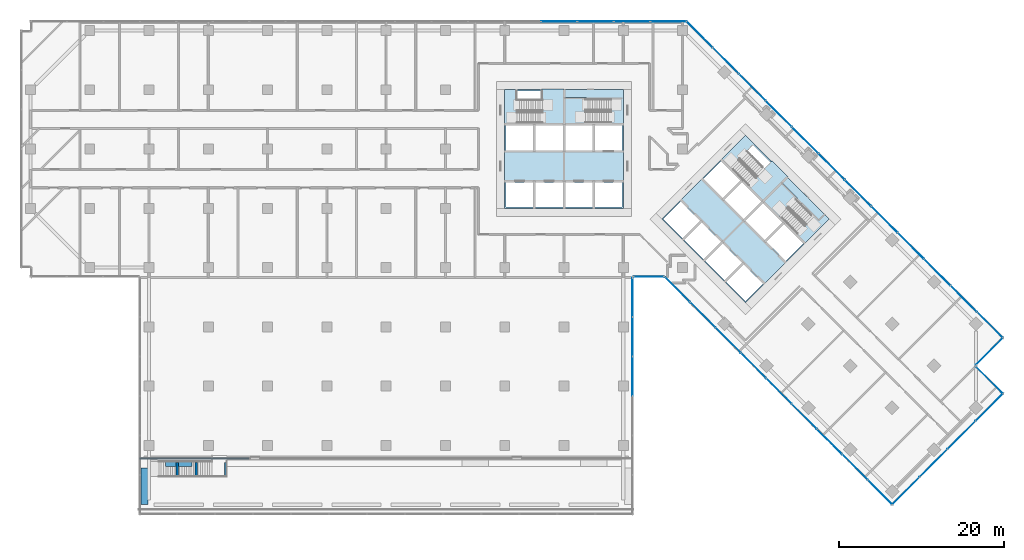
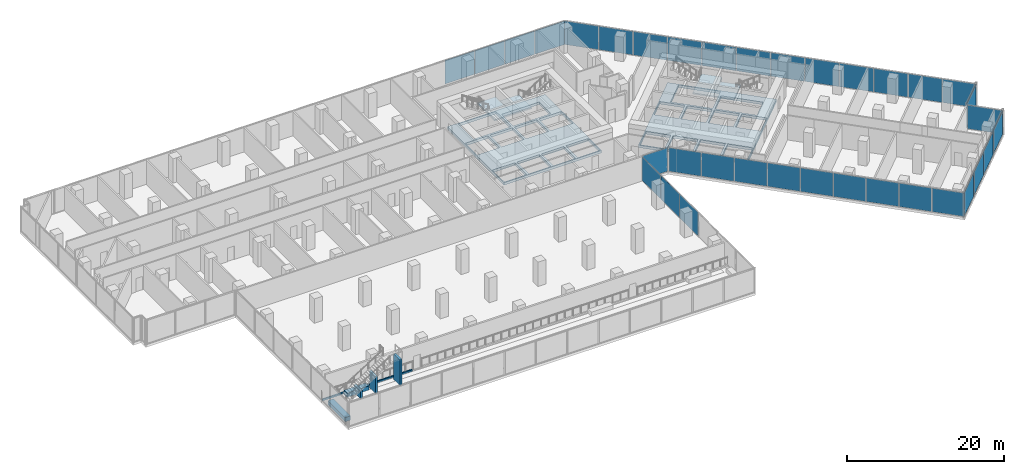
# One storey, part 18 of 27: 35 plates, 6 slabs, 6 walls, 20 openings, 12 elements without a shape of their own.
"""IFC4 building model written with IfcOpenShell, lengths in metres."""

from ifc_helpers import new_model, si_unit, direction, frame, frame_2d, origin, origin_2d, place, context, subcontext, project, spatial, polyline, rectangle, outline, extrude, material, layer, layer_set, type_object, element, aggregate, save


model = new_model("IFC4")

# Units and contexts
model_context = context("Model", 3, precision=1e-05, world=origin(), true_north=direction((0.0, 1.0)))
body_context = subcontext(model_context, "Body", "Model", "MODEL_VIEW")
ifc_project = project(units=[si_unit("LENGTHUNIT", "METRE"), si_unit("AREAUNIT", "SQUARE_METRE"), si_unit("VOLUMEUNIT", "CUBIC_METRE"), si_unit("PLANEANGLEUNIT", "RADIAN"), si_unit("MASSUNIT", "GRAM", prefix="KILO")], contexts=[model_context])

# Site, building, storey
site_placement = place(None, origin())
site = spatial("IfcSite", under=ifc_project, at=site_placement, CompositionType="ELEMENT")
building_placement = place(site_placement, origin())
building = spatial("IfcBuilding", under=site, at=building_placement, Name="Windrow Commons", CompositionType="ELEMENT")
storey_placement = place(building_placement, frame((0.0, 0.0, 6.0)))
storey = spatial("IfcBuildingStorey", under=building, at=storey_placement, Name="L01", CompositionType="ELEMENT", Elevation=6.0)

# Slab, openings
ifc_material_1 = material(Name="Concrete C60/75", Category="concrete")
ifc_layer_1 = layer(ifc_material_1, 0.4)
ifc_layer_set_1 = layer_set([ifc_layer_1], Name="CORE FLOOR SLAB 400 C60/75")
slab_type_1 = type_object("IfcSlabType", Name="CORE FLOOR SLAB 400 C60/75", PredefinedType="FLOOR", material=ifc_layer_set_1)
placement_1 = place(storey_placement, frame((0.0, 0.0, -0.4)))
slab_1 = element("IfcSlab", 1, at=placement_1, inside=storey, type_object=slab_type_1, Name="S-L01-core-A", PredefinedType="FLOOR", context=body_context, shape_type="SweptSolid", body=[
    extrude(outline(polyline([(57.6, 50.4), (72.0, 50.4), (72.0, 64.8), (57.6, 64.8), (57.6, 50.4)]), holes=[polyline([(57.75, 50.55), (61.05, 50.55), (61.05, 53.55), (57.75, 53.55), (57.75, 50.55)]), polyline([(61.35, 50.55), (64.65, 50.55), (64.65, 53.55), (61.35, 53.55), (61.35, 50.55)]), polyline([(64.95, 50.55), (68.25, 50.55), (68.25, 53.55), (64.95, 53.55), (64.95, 50.55)]), polyline([(68.55, 50.55), (71.85, 50.55), (71.85, 53.55), (68.55, 53.55), (68.55, 50.55)]), polyline([(57.75, 57.45), (61.05, 57.45), (61.05, 60.45), (57.75, 60.45), (57.75, 57.45)]), polyline([(61.35, 57.45), (64.65, 57.45), (64.65, 60.45), (61.35, 60.45), (61.35, 57.45)]), polyline([(64.95, 57.45), (68.25, 57.45), (68.25, 60.45), (64.95, 60.45), (64.95, 57.45)]), polyline([(68.55, 57.45), (71.85, 57.45), (71.85, 60.45), (68.55, 60.45), (68.55, 57.45)]), polyline([(59.1, 60.75), (64.65, 60.75), (64.65, 64.65), (59.1, 64.65), (59.1, 60.75)]), polyline([(64.95, 60.75), (70.5, 60.75), (70.5, 63.705), (64.95, 63.705), (64.95, 60.75)])]), origin(), (0.0, 0.0, 1.0), 0.4),
])
opening_1_placement = place(placement_1, origin())
element("IfcOpeningElement", 2, at=opening_1_placement, cuts=slab_1, Name="Slab opening S-L01-core-A 1", PredefinedType="OPENING", context=body_context, shape_type="SweptSolid", body=[
    extrude(outline(polyline([(57.755, 50.555), (57.755, 53.545), (61.045, 53.545), (61.045, 50.555), (57.755, 50.555)])), origin(), (0.0, 0.0, 1.0), 0.4),
])
opening_2_placement = place(placement_1, origin())
element("IfcOpeningElement", 3, at=opening_2_placement, cuts=slab_1, Name="Slab opening S-L01-core-A 2", PredefinedType="OPENING", context=body_context, shape_type="SweptSolid", body=[
    extrude(outline(polyline([(61.355, 50.555), (61.355, 53.545), (64.645, 53.545), (64.645, 50.555), (61.355, 50.555)])), origin(), (0.0, 0.0, 1.0), 0.4),
])
opening_3_placement = place(placement_1, origin())
element("IfcOpeningElement", 4, at=opening_3_placement, cuts=slab_1, Name="Slab opening S-L01-core-A 3", PredefinedType="OPENING", context=body_context, shape_type="SweptSolid", body=[
    extrude(outline(polyline([(64.955, 50.555), (64.955, 53.545), (68.245, 53.545), (68.245, 50.555), (64.955, 50.555)])), origin(), (0.0, 0.0, 1.0), 0.4),
])
opening_4_placement = place(placement_1, origin())
element("IfcOpeningElement", 5, at=opening_4_placement, cuts=slab_1, Name="Slab opening S-L01-core-A 4", PredefinedType="OPENING", context=body_context, shape_type="SweptSolid", body=[
    extrude(outline(polyline([(68.555, 50.555), (68.555, 53.545), (71.845, 53.545), (71.845, 50.555), (68.555, 50.555)])), origin(), (0.0, 0.0, 1.0), 0.4),
])
opening_5_placement = place(placement_1, origin())
element("IfcOpeningElement", 6, at=opening_5_placement, cuts=slab_1, Name="Slab opening S-L01-core-A 5", PredefinedType="OPENING", context=body_context, shape_type="SweptSolid", body=[
    extrude(outline(polyline([(57.755, 57.455), (57.755, 60.445), (61.045, 60.445), (61.045, 57.455), (57.755, 57.455)])), origin(), (0.0, 0.0, 1.0), 0.4),
])
opening_6_placement = place(placement_1, origin())
element("IfcOpeningElement", 7, at=opening_6_placement, cuts=slab_1, Name="Slab opening S-L01-core-A 6", PredefinedType="OPENING", context=body_context, shape_type="SweptSolid", body=[
    extrude(outline(polyline([(61.355, 57.455), (61.355, 60.445), (64.645, 60.445), (64.645, 57.455), (61.355, 57.455)])), origin(), (0.0, 0.0, 1.0), 0.4),
])
opening_7_placement = place(placement_1, origin())
element("IfcOpeningElement", 8, at=opening_7_placement, cuts=slab_1, Name="Slab opening S-L01-core-A 7", PredefinedType="OPENING", context=body_context, shape_type="SweptSolid", body=[
    extrude(outline(polyline([(64.955, 57.455), (64.955, 60.445), (68.245, 60.445), (68.245, 57.455), (64.955, 57.455)])), origin(), (0.0, 0.0, 1.0), 0.4),
])
opening_8_placement = place(placement_1, origin())
element("IfcOpeningElement", 9, at=opening_8_placement, cuts=slab_1, Name="Slab opening S-L01-core-A 8", PredefinedType="OPENING", context=body_context, shape_type="SweptSolid", body=[
    extrude(outline(polyline([(68.555, 57.455), (68.555, 60.445), (71.845, 60.445), (71.845, 57.455), (68.555, 57.455)])), origin(), (0.0, 0.0, 1.0), 0.4),
])
opening_9_placement = place(placement_1, origin())
element("IfcOpeningElement", 10, at=opening_9_placement, cuts=slab_1, Name="Slab opening S-L01-core-A 9", PredefinedType="OPENING", context=body_context, shape_type="SweptSolid", body=[
    extrude(outline(polyline([(59.105, 60.755), (59.105, 64.645), (64.645, 64.645), (64.645, 60.755), (59.105, 60.755)])), origin(), (0.0, 0.0, 1.0), 0.4),
])
opening_10_placement = place(placement_1, origin())
element("IfcOpeningElement", 11, at=opening_10_placement, cuts=slab_1, Name="Slab opening S-L01-core-A 10", PredefinedType="OPENING", context=body_context, shape_type="SweptSolid", body=[
    extrude(outline(polyline([(64.955, 60.755), (64.955, 63.7), (70.495, 63.7), (70.495, 60.755), (64.955, 60.755)])), origin(), (0.0, 0.0, 1.0), 0.4),
])

slab_2 = element("IfcSlab", 12, at=placement_1, inside=storey, type_object=slab_type_1, Name="S-L01-core-B", PredefinedType="FLOOR", context=body_context, shape_type="SweptSolid", body=[
    extrude(outline(polyline([(76.6544, 49.0897), (86.8368, 38.9074), (97.0191, 49.0897), (86.8368, 59.2721), (76.6544, 49.0897)]), holes=[polyline([(76.8665, 49.0897), (79.2, 46.7563), (81.3213, 48.8776), (78.9879, 51.2111), (76.8665, 49.0897)]), polyline([(79.4121, 46.5442), (81.7456, 44.2107), (83.8669, 46.332), (81.5335, 48.6655), (79.4121, 46.5442)]), polyline([(81.9577, 43.9986), (84.2912, 41.6651), (86.4125, 43.7864), (84.079, 46.1199), (81.9577, 43.9986)]), polyline([(84.5033, 41.453), (86.8368, 39.1195), (88.9581, 41.2409), (86.6246, 43.5743), (84.5033, 41.453)]), polyline([(81.7456, 53.9688), (84.079, 51.6353), (86.2004, 53.7566), (83.8669, 56.0901), (81.7456, 53.9688)]), polyline([(84.2912, 51.4232), (86.6246, 49.0897), (88.7459, 51.2111), (86.4125, 53.5445), (84.2912, 51.4232)]), polyline([(86.8368, 48.8776), (89.1702, 46.5442), (91.2915, 48.6655), (88.9581, 50.9989), (86.8368, 48.8776)]), polyline([(89.3823, 46.332), (91.7158, 43.9986), (93.8371, 46.1199), (91.5037, 48.4533), (89.3823, 46.332)]), polyline([(85.0336, 55.3476), (88.9581, 51.4232), (91.7158, 54.1809), (87.7913, 58.1054), (85.0336, 55.3476)]), polyline([(89.1702, 51.2111), (93.0946, 47.2866), (95.1841, 49.3761), (91.2597, 53.3006), (89.1702, 51.2111)])]), origin(), (0.0, 0.0, 1.0), 0.4),
])
opening_11_placement = place(placement_1, origin())
element("IfcOpeningElement", 13, at=opening_11_placement, cuts=slab_2, Name="Slab opening S-L01-core-B 1", PredefinedType="OPENING", context=body_context, shape_type="SweptSolid", body=[
    extrude(outline(polyline([(76.8736, 49.0897), (78.9879, 51.204), (81.3142, 48.8776), (79.2, 46.7634), (76.8736, 49.0897)])), origin(), (0.0, 0.0, 1.0), 0.4),
])
opening_12_placement = place(placement_1, origin())
element("IfcOpeningElement", 14, at=opening_12_placement, cuts=slab_2, Name="Slab opening S-L01-core-B 2", PredefinedType="OPENING", context=body_context, shape_type="SweptSolid", body=[
    extrude(outline(polyline([(79.4192, 46.5442), (81.5335, 48.6584), (83.8598, 46.332), (81.7456, 44.2178), (79.4192, 46.5442)])), origin(), (0.0, 0.0, 1.0), 0.4),
])
opening_13_placement = place(placement_1, origin())
element("IfcOpeningElement", 15, at=opening_13_placement, cuts=slab_2, Name="Slab opening S-L01-core-B 3", PredefinedType="OPENING", context=body_context, shape_type="SweptSolid", body=[
    extrude(outline(polyline([(81.9648, 43.9986), (84.079, 46.1128), (86.4054, 43.7864), (84.2912, 41.6722), (81.9648, 43.9986)])), origin(), (0.0, 0.0, 1.0), 0.4),
])
opening_14_placement = place(placement_1, origin())
element("IfcOpeningElement", 16, at=opening_14_placement, cuts=slab_2, Name="Slab opening S-L01-core-B 4", PredefinedType="OPENING", context=body_context, shape_type="SweptSolid", body=[
    extrude(outline(polyline([(84.5104, 41.453), (86.6246, 43.5672), (88.951, 41.2409), (86.8368, 39.1266), (84.5104, 41.453)])), origin(), (0.0, 0.0, 1.0), 0.4),
])
opening_15_placement = place(placement_1, origin())
element("IfcOpeningElement", 17, at=opening_15_placement, cuts=slab_2, Name="Slab opening S-L01-core-B 5", PredefinedType="OPENING", context=body_context, shape_type="SweptSolid", body=[
    extrude(outline(polyline([(81.7527, 53.9688), (83.8669, 56.083), (86.1933, 53.7566), (84.079, 51.6424), (81.7527, 53.9688)])), origin(), (0.0, 0.0, 1.0), 0.4),
])
opening_16_placement = place(placement_1, origin())
element("IfcOpeningElement", 18, at=opening_16_placement, cuts=slab_2, Name="Slab opening S-L01-core-B 6", PredefinedType="OPENING", context=body_context, shape_type="SweptSolid", body=[
    extrude(outline(polyline([(84.2983, 51.4232), (86.4125, 53.5374), (88.7388, 51.2111), (86.6246, 49.0968), (84.2983, 51.4232)])), origin(), (0.0, 0.0, 1.0), 0.4),
])
opening_17_placement = place(placement_1, origin())
element("IfcOpeningElement", 19, at=opening_17_placement, cuts=slab_2, Name="Slab opening S-L01-core-B 7", PredefinedType="OPENING", context=body_context, shape_type="SweptSolid", body=[
    extrude(outline(polyline([(86.8439, 48.8776), (88.9581, 50.9918), (91.2844, 48.6655), (89.1702, 46.5513), (86.8439, 48.8776)])), origin(), (0.0, 0.0, 1.0), 0.4),
])
opening_18_placement = place(placement_1, origin())
element("IfcOpeningElement", 20, at=opening_18_placement, cuts=slab_2, Name="Slab opening S-L01-core-B 8", PredefinedType="OPENING", context=body_context, shape_type="SweptSolid", body=[
    extrude(outline(polyline([(89.3894, 46.332), (91.5037, 48.4462), (93.83, 46.1199), (91.7158, 44.0057), (89.3894, 46.332)])), origin(), (0.0, 0.0, 1.0), 0.4),
])
opening_19_placement = place(placement_1, origin())
element("IfcOpeningElement", 21, at=opening_19_placement, cuts=slab_2, Name="Slab opening S-L01-core-B 9", PredefinedType="OPENING", context=body_context, shape_type="SweptSolid", body=[
    extrude(outline(polyline([(85.0407, 55.3476), (87.7913, 58.0983), (91.7087, 54.1809), (88.9581, 51.4303), (85.0407, 55.3476)])), origin(), (0.0, 0.0, 1.0), 0.4),
])
opening_20_placement = place(placement_1, origin())
element("IfcOpeningElement", 22, at=opening_20_placement, cuts=slab_2, Name="Slab opening S-L01-core-B 10", PredefinedType="OPENING", context=body_context, shape_type="SweptSolid", body=[
    extrude(outline(polyline([(89.1773, 51.2111), (91.2597, 53.2935), (95.177, 49.3761), (93.0946, 47.2937), (89.1773, 51.2111)])), origin(), (0.0, 0.0, 1.0), 0.4),
])

# Curtain wall, plates
ifc_material_2 = material(Name="Clear laminated glass in Aluminium 6063-T6 anodised frame", Category="aluminium")
curtain_wall_type = type_object("IfcCurtainWallType", Name="Curtain wall CW1 podium study hall", PredefinedType="USERDEFINED", material=ifc_material_2)
placement_2 = place(storey_placement, origin())
curtain_wall_1 = element("IfcCurtainWall", 23, at=placement_2, inside=storey, type_object=curtain_wall_type, Name="Curtain wall CW1 L01 1", ObjectType="STICK", PredefinedType="USERDEFINED")
ifc_material_3 = material(Name="Clear laminated glass", Category="glass")
ifc_layer_2 = layer(ifc_material_3, 0.032)
ifc_layer_set_2 = layer_set([ifc_layer_2], Name="CW1 panel glass 32")
plate_type = type_object("IfcPlateType", Name="CW1 panel glass 32", PredefinedType="CURTAIN_PANEL", material=ifc_layer_set_2)
plate_1_placement = place(storey_placement, frame((106.2928, 16.0785, 0.06), z_axis=(0.0, 0.0, 1.0), x_axis=(0.7071093854, 0.707104177, 0.0)))
plate_1 = element("IfcPlate", 24, at=plate_1_placement, type_object=plate_type, Name="CW1 panel 1.1", PredefinedType="CURTAIN_PANEL", context=body_context, shape_type="SweptSolid", body=[
    extrude(rectangle(XDim=4.71, YDim=0.032, at=origin_2d()), origin(), (0.0, 0.0, 1.0), 3.68),
])
plate_2_placement = place(storey_placement, frame((109.6763, 19.462, 0.06), z_axis=(0.0, 0.0, 1.0), x_axis=(0.7071093854, 0.707104177, 0.0)))
plate_2 = element("IfcPlate", 25, at=plate_2_placement, type_object=plate_type, Name="CW1 panel 2.1", PredefinedType="CURTAIN_PANEL", context=body_context, shape_type="SweptSolid", body=[
    extrude(rectangle(XDim=4.74, YDim=0.032, at=origin_2d()), origin(), (0.0, 0.0, 1.0), 3.68),
])
plate_3_placement = place(storey_placement, frame((113.0704, 22.8561, 0.06), z_axis=(0.0, 0.0, 1.0), x_axis=(0.7071093854, 0.707104177, 0.0)))
plate_3 = element("IfcPlate", 26, at=plate_3_placement, type_object=plate_type, Name="CW1 panel 3.1", PredefinedType="CURTAIN_PANEL", context=body_context, shape_type="SweptSolid", body=[
    extrude(rectangle(XDim=4.74, YDim=0.032, at=origin_2d()), origin(), (0.0, 0.0, 1.0), 3.68),
])
plate_4_placement = place(storey_placement, frame((116.4539, 26.2396, 0.06), z_axis=(0.0, 0.0, 1.0), x_axis=(0.7071093854, 0.707104177, 0.0)))
plate_4 = element("IfcPlate", 27, at=plate_4_placement, type_object=plate_type, Name="CW1 panel 4.1", PredefinedType="CURTAIN_PANEL", context=body_context, shape_type="SweptSolid", body=[
    extrude(rectangle(XDim=4.71, YDim=0.032, at=origin_2d()), origin(), (0.0, 0.0, 1.0), 3.68),
])
aggregate(curtain_wall_1, [plate_1, plate_2, plate_3, plate_4])

# Curtain wall, plate
curtain_wall_2 = element("IfcCurtainWall", 28, at=placement_2, inside=storey, type_object=curtain_wall_type, Name="Curtain wall CW1 L01 2", ObjectType="STICK", PredefinedType="USERDEFINED")
plate_5_placement = place(storey_placement, frame((116.4645, 29.5028, 0.06), z_axis=(0.0, 0.0, 1.0), x_axis=(-0.7071067812, 0.7071067812, 0.0)))
plate_5 = element("IfcPlate", 29, at=plate_5_placement, type_object=plate_type, Name="CW1 panel 1.1", PredefinedType="CURTAIN_PANEL", context=body_context, shape_type="SweptSolid", body=[
    extrude(rectangle(XDim=4.68, YDim=0.032, at=origin_2d()), origin(), (0.0, 0.0, 1.0), 3.68),
])
aggregate(curtain_wall_2, [plate_5])

curtain_wall_3 = element("IfcCurtainWall", 30, at=placement_2, inside=storey, type_object=curtain_wall_type, Name="Curtain wall CW1 L01 3", ObjectType="STICK", PredefinedType="USERDEFINED")
plate_6_placement = place(storey_placement, frame((116.4645, 33.0384, 0.06), z_axis=(0.0, 0.0, 1.0), x_axis=(0.7070963646, 0.7071171977, 0.0)))
plate_6 = element("IfcPlate", 31, at=plate_6_placement, type_object=plate_type, Name="CW1 panel 1.1", PredefinedType="CURTAIN_PANEL", context=body_context, shape_type="SweptSolid", body=[
    extrude(rectangle(XDim=4.6801, YDim=0.032, at=origin_2d()), origin(), (0.0, 0.0, 1.0), 3.68),
])
aggregate(curtain_wall_3, [plate_6])

# Curtain wall, plates
curtain_wall_4 = element("IfcCurtainWall", 32, at=placement_2, inside=storey, type_object=curtain_wall_type, Name="Curtain wall CW1 L01 4", ObjectType="STICK", PredefinedType="USERDEFINED")
plate_7_placement = place(storey_placement, frame((116.5453, 36.2103, 0.06), z_axis=(0.0, 0.0, 1.0), x_axis=(-0.7071067812, 0.7071067812, 0.0)))
plate_7 = element("IfcPlate", 33, at=plate_7_placement, type_object=plate_type, Name="CW1 panel 1.1", PredefinedType="CURTAIN_PANEL", context=body_context, shape_type="SweptSolid", body=[
    extrude(rectangle(XDim=4.4514, YDim=0.032, at=origin_2d()), origin(), (0.0, 0.0, 1.0), 3.68),
])
plate_8_placement = place(storey_placement, frame((113.3447, 39.411, 0.06), z_axis=(0.0, 0.0, 1.0), x_axis=(-0.7071067812, 0.7071067812, 0.0)))
plate_8 = element("IfcPlate", 34, at=plate_8_placement, type_object=plate_type, Name="CW1 panel 2.1", PredefinedType="CURTAIN_PANEL", context=body_context, shape_type="SweptSolid", body=[
    extrude(rectangle(XDim=4.4814, YDim=0.032, at=origin_2d()), origin(), (0.0, 0.0, 1.0), 3.68),
])
plate_9_placement = place(storey_placement, frame((110.1334, 42.6223, 0.06), z_axis=(0.0, 0.0, 1.0), x_axis=(-0.7071067812, 0.7071067812, 0.0)))
plate_9 = element("IfcPlate", 35, at=plate_9_placement, type_object=plate_type, Name="CW1 panel 3.1", PredefinedType="CURTAIN_PANEL", context=body_context, shape_type="SweptSolid", body=[
    extrude(rectangle(XDim=4.4814, YDim=0.032, at=origin_2d()), origin(), (0.0, 0.0, 1.0), 3.68),
])
plate_10_placement = place(storey_placement, frame((106.9222, 45.8335, 0.06), z_axis=(0.0, 0.0, 1.0), x_axis=(-0.7071067812, 0.7071067812, 0.0)))
plate_10 = element("IfcPlate", 36, at=plate_10_placement, type_object=plate_type, Name="CW1 panel 4.1", PredefinedType="CURTAIN_PANEL", context=body_context, shape_type="SweptSolid", body=[
    extrude(rectangle(XDim=4.4814, YDim=0.032, at=origin_2d()), origin(), (0.0, 0.0, 1.0), 3.68),
])
plate_11_placement = place(storey_placement, frame((103.7109, 49.0448, 0.06), z_axis=(0.0, 0.0, 1.0), x_axis=(-0.7071067812, 0.7071067812, 0.0)))
plate_11 = element("IfcPlate", 37, at=plate_11_placement, type_object=plate_type, Name="CW1 panel 5.1", PredefinedType="CURTAIN_PANEL", context=body_context, shape_type="SweptSolid", body=[
    extrude(rectangle(XDim=4.4814, YDim=0.032, at=origin_2d()), origin(), (0.0, 0.0, 1.0), 3.68),
])
plate_12_placement = place(storey_placement, frame((100.4996, 52.2561, 0.06), z_axis=(0.0, 0.0, 1.0), x_axis=(-0.7071067812, 0.7071067812, 0.0)))
plate_12 = element("IfcPlate", 38, at=plate_12_placement, type_object=plate_type, Name="CW1 panel 6.1", PredefinedType="CURTAIN_PANEL", context=body_context, shape_type="SweptSolid", body=[
    extrude(rectangle(XDim=4.4814, YDim=0.032, at=origin_2d()), origin(), (0.0, 0.0, 1.0), 3.68),
])
plate_13_placement = place(storey_placement, frame((97.2884, 55.4673, 0.06), z_axis=(0.0, 0.0, 1.0), x_axis=(-0.7071067812, 0.7071067812, 0.0)))
plate_13 = element("IfcPlate", 39, at=plate_13_placement, type_object=plate_type, Name="CW1 panel 7.1", PredefinedType="CURTAIN_PANEL", context=body_context, shape_type="SweptSolid", body=[
    extrude(rectangle(XDim=4.4814, YDim=0.032, at=origin_2d()), origin(), (0.0, 0.0, 1.0), 3.68),
])
plate_14_placement = place(storey_placement, frame((94.0771, 58.6786, 0.06), z_axis=(0.0, 0.0, 1.0), x_axis=(-0.7071067812, 0.7071067812, 0.0)))
plate_14 = element("IfcPlate", 40, at=plate_14_placement, type_object=plate_type, Name="CW1 panel 8.1", PredefinedType="CURTAIN_PANEL", context=body_context, shape_type="SweptSolid", body=[
    extrude(rectangle(XDim=4.4814, YDim=0.032, at=origin_2d()), origin(), (0.0, 0.0, 1.0), 3.68),
])
plate_15_placement = place(storey_placement, frame((90.8658, 61.8899, 0.06), z_axis=(0.0, 0.0, 1.0), x_axis=(-0.7071067812, 0.7071067812, 0.0)))
plate_15 = element("IfcPlate", 41, at=plate_15_placement, type_object=plate_type, Name="CW1 panel 9.1", PredefinedType="CURTAIN_PANEL", context=body_context, shape_type="SweptSolid", body=[
    extrude(rectangle(XDim=4.4814, YDim=0.032, at=origin_2d()), origin(), (0.0, 0.0, 1.0), 3.68),
])
plate_16_placement = place(storey_placement, frame((87.6546, 65.1011, 0.06), z_axis=(0.0, 0.0, 1.0), x_axis=(-0.7071067812, 0.7071067812, 0.0)))
plate_16 = element("IfcPlate", 42, at=plate_16_placement, type_object=plate_type, Name="CW1 panel 10.1", PredefinedType="CURTAIN_PANEL", context=body_context, shape_type="SweptSolid", body=[
    extrude(rectangle(XDim=4.4814, YDim=0.032, at=origin_2d()), origin(), (0.0, 0.0, 1.0), 3.68),
])
plate_17_placement = place(storey_placement, frame((84.4433, 68.3124, 0.06), z_axis=(0.0, 0.0, 1.0), x_axis=(-0.7071067812, 0.7071067812, 0.0)))
plate_17 = element("IfcPlate", 43, at=plate_17_placement, type_object=plate_type, Name="CW1 panel 11.1", PredefinedType="CURTAIN_PANEL", context=body_context, shape_type="SweptSolid", body=[
    extrude(rectangle(XDim=4.4814, YDim=0.032, at=origin_2d()), origin(), (0.0, 0.0, 1.0), 3.68),
])
plate_18_placement = place(storey_placement, frame((81.2426, 71.513, 0.06), z_axis=(0.0, 0.0, 1.0), x_axis=(-0.7071067812, 0.7071067812, 0.0)))
plate_18 = element("IfcPlate", 44, at=plate_18_placement, type_object=plate_type, Name="CW1 panel 12.1", PredefinedType="CURTAIN_PANEL", context=body_context, shape_type="SweptSolid", body=[
    extrude(rectangle(XDim=4.4514, YDim=0.032, at=origin_2d()), origin(), (0.0, 0.0, 1.0), 3.68),
])
aggregate(curtain_wall_4, [plate_7, plate_8, plate_9, plate_10, plate_11, plate_12, plate_13, plate_14, plate_15, plate_16, plate_17, plate_18])

curtain_wall_5 = element("IfcCurtainWall", 45, at=placement_2, inside=storey, type_object=curtain_wall_type, Name="Curtain wall CW1 L01 5", ObjectType="STICK", PredefinedType="USERDEFINED")
plate_19_placement = place(storey_placement, frame((77.4683, 73.1, 0.06), z_axis=(0.0, 0.0, 1.0), x_axis=(-1.0, 0.0, 0.0)))
plate_19 = element("IfcPlate", 46, at=plate_19_placement, type_object=plate_type, Name="CW1 panel 1.1", PredefinedType="CURTAIN_PANEL", context=body_context, shape_type="SweptSolid", body=[
    extrude(rectangle(XDim=4.3376, YDim=0.032, at=origin_2d()), origin(), (0.0, 0.0, 1.0), 3.68),
])
plate_20_placement = place(storey_placement, frame((73.0557, 73.1, 0.06), z_axis=(0.0, 0.0, 1.0), x_axis=(-1.0, 0.0, 0.0)))
plate_20 = element("IfcPlate", 47, at=plate_20_placement, type_object=plate_type, Name="CW1 panel 2.1", PredefinedType="CURTAIN_PANEL", context=body_context, shape_type="SweptSolid", body=[
    extrude(rectangle(XDim=4.3676, YDim=0.032, at=origin_2d()), origin(), (0.0, 0.0, 1.0), 3.68),
])
plate_21_placement = place(storey_placement, frame((68.6281, 73.1, 0.06), z_axis=(0.0, 0.0, 1.0), x_axis=(-1.0, 0.0, 0.0)))
plate_21 = element("IfcPlate", 48, at=plate_21_placement, type_object=plate_type, Name="CW1 panel 3.1", PredefinedType="CURTAIN_PANEL", context=body_context, shape_type="SweptSolid", body=[
    extrude(rectangle(XDim=4.3676, YDim=0.032, at=origin_2d()), origin(), (0.0, 0.0, 1.0), 3.68),
])
plate_22_placement = place(storey_placement, frame((64.2004, 73.1, 0.06), z_axis=(0.0, 0.0, 1.0), x_axis=(-1.0, 0.0, 0.0)))
plate_22 = element("IfcPlate", 49, at=plate_22_placement, type_object=plate_type, Name="CW1 panel 4.1", PredefinedType="CURTAIN_PANEL", context=body_context, shape_type="SweptSolid", body=[
    extrude(rectangle(XDim=4.3676, YDim=0.032, at=origin_2d()), origin(), (0.0, 0.0, 1.0), 3.68),
])
aggregate(curtain_wall_5, [plate_19, plate_20, plate_21, plate_22])

curtain_wall_6 = element("IfcCurtainWall", 50, at=placement_2, inside=storey, type_object=curtain_wall_type, Name="Curtain wall CW1 L01 14", ObjectType="STICK", PredefinedType="USERDEFINED")
plate_23_placement = place(storey_placement, frame((73.1, 30.0, 0.06), z_axis=(0.0, 0.0, 1.0), x_axis=(0.0, 1.0, 0.0)))
plate_23 = element("IfcPlate", 51, at=plate_23_placement, type_object=plate_type, Name="CW1 panel 4.1", PredefinedType="CURTAIN_PANEL", context=body_context, shape_type="SweptSolid", body=[
    extrude(rectangle(XDim=4.74, YDim=0.032, at=origin_2d()), origin(), (0.0, 0.0, 1.0), 3.68),
])
plate_24_placement = place(storey_placement, frame((73.1, 34.8, 0.06), z_axis=(0.0, 0.0, 1.0), x_axis=(0.0, 1.0, 0.0)))
plate_24 = element("IfcPlate", 52, at=plate_24_placement, type_object=plate_type, Name="CW1 panel 5.1", PredefinedType="CURTAIN_PANEL", context=body_context, shape_type="SweptSolid", body=[
    extrude(rectangle(XDim=4.74, YDim=0.032, at=origin_2d()), origin(), (0.0, 0.0, 1.0), 3.68),
])
plate_25_placement = place(storey_placement, frame((73.1, 39.585, 0.06), z_axis=(0.0, 0.0, 1.0), x_axis=(0.0, 1.0, 0.0)))
plate_25 = element("IfcPlate", 53, at=plate_25_placement, type_object=plate_type, Name="CW1 panel 6.1", PredefinedType="CURTAIN_PANEL", context=body_context, shape_type="SweptSolid", body=[
    extrude(rectangle(XDim=4.71, YDim=0.032, at=origin_2d()), origin(), (0.0, 0.0, 1.0), 3.68),
])
aggregate(curtain_wall_6, [plate_23, plate_24, plate_25])

# Curtain wall, plate
curtain_wall_7 = element("IfcCurtainWall", 54, at=placement_2, inside=storey, type_object=curtain_wall_type, Name="Curtain wall CW1 L01 15", ObjectType="STICK", PredefinedType="USERDEFINED")
plate_26_placement = place(storey_placement, frame((75.078, 42.1, 0.06), z_axis=(0.0, 0.0, 1.0), x_axis=(1.0, 0.0, 0.0)))
plate_26 = element("IfcPlate", 55, at=plate_26_placement, type_object=plate_type, Name="CW1 panel 1.1", PredefinedType="CURTAIN_PANEL", context=body_context, shape_type="SweptSolid", body=[
    extrude(rectangle(XDim=3.6359, YDim=0.032, at=origin_2d()), origin(), (0.0, 0.0, 1.0), 3.68),
])
aggregate(curtain_wall_7, [plate_26])

# Curtain wall, plates
curtain_wall_8 = element("IfcCurtainWall", 56, at=placement_2, inside=storey, type_object=curtain_wall_type, Name="Curtain wall CW1 L01 16", ObjectType="STICK", PredefinedType="USERDEFINED")
plate_27_placement = place(storey_placement, frame((78.5761, 40.5212, 0.06), z_axis=(0.0, 0.0, 1.0), x_axis=(0.7071067812, -0.7071067812, 0.0)))
plate_27 = element("IfcPlate", 57, at=plate_27_placement, type_object=plate_type, Name="CW1 panel 1.1", PredefinedType="CURTAIN_PANEL", context=body_context, shape_type="SweptSolid", body=[
    extrude(rectangle(XDim=4.2626, YDim=0.032, at=origin_2d()), origin(), (0.0, 0.0, 1.0), 3.68),
])
plate_28_placement = place(storey_placement, frame((81.6433, 37.4541, 0.06), z_axis=(0.0, 0.0, 1.0), x_axis=(0.7071067812, -0.7071067812, 0.0)))
plate_28 = element("IfcPlate", 58, at=plate_28_placement, type_object=plate_type, Name="CW1 panel 2.1", PredefinedType="CURTAIN_PANEL", context=body_context, shape_type="SweptSolid", body=[
    extrude(rectangle(XDim=4.2926, YDim=0.032, at=origin_2d()), origin(), (0.0, 0.0, 1.0), 3.68),
])
plate_29_placement = place(storey_placement, frame((84.721, 34.3763, 0.06), z_axis=(0.0, 0.0, 1.0), x_axis=(0.7071067812, -0.7071067812, 0.0)))
plate_29 = element("IfcPlate", 59, at=plate_29_placement, type_object=plate_type, Name="CW1 panel 3.1", PredefinedType="CURTAIN_PANEL", context=body_context, shape_type="SweptSolid", body=[
    extrude(rectangle(XDim=4.2926, YDim=0.032, at=origin_2d()), origin(), (0.0, 0.0, 1.0), 3.68),
])
plate_30_placement = place(storey_placement, frame((87.7988, 31.2985, 0.06), z_axis=(0.0, 0.0, 1.0), x_axis=(0.7071067812, -0.7071067812, 0.0)))
plate_30 = element("IfcPlate", 60, at=plate_30_placement, type_object=plate_type, Name="CW1 panel 4.1", PredefinedType="CURTAIN_PANEL", context=body_context, shape_type="SweptSolid", body=[
    extrude(rectangle(XDim=4.2926, YDim=0.032, at=origin_2d()), origin(), (0.0, 0.0, 1.0), 3.68),
])
plate_31_placement = place(storey_placement, frame((90.8766, 28.2208, 0.06), z_axis=(0.0, 0.0, 1.0), x_axis=(0.7071067812, -0.7071067812, 0.0)))
plate_31 = element("IfcPlate", 61, at=plate_31_placement, type_object=plate_type, Name="CW1 panel 5.1", PredefinedType="CURTAIN_PANEL", context=body_context, shape_type="SweptSolid", body=[
    extrude(rectangle(XDim=4.2926, YDim=0.032, at=origin_2d()), origin(), (0.0, 0.0, 1.0), 3.68),
])
plate_32_placement = place(storey_placement, frame((93.9543, 25.143, 0.06), z_axis=(0.0, 0.0, 1.0), x_axis=(0.7071067812, -0.7071067812, 0.0)))
plate_32 = element("IfcPlate", 62, at=plate_32_placement, type_object=plate_type, Name="CW1 panel 6.1", PredefinedType="CURTAIN_PANEL", context=body_context, shape_type="SweptSolid", body=[
    extrude(rectangle(XDim=4.2926, YDim=0.032, at=origin_2d()), origin(), (0.0, 0.0, 1.0), 3.68),
])
plate_33_placement = place(storey_placement, frame((97.0321, 22.0652, 0.06), z_axis=(0.0, 0.0, 1.0), x_axis=(0.7071067812, -0.7071067812, 0.0)))
plate_33 = element("IfcPlate", 63, at=plate_33_placement, type_object=plate_type, Name="CW1 panel 7.1", PredefinedType="CURTAIN_PANEL", context=body_context, shape_type="SweptSolid", body=[
    extrude(rectangle(XDim=4.2926, YDim=0.032, at=origin_2d()), origin(), (0.0, 0.0, 1.0), 3.68),
])
plate_34_placement = place(storey_placement, frame((100.1099, 18.9875, 0.06), z_axis=(0.0, 0.0, 1.0), x_axis=(0.7071067812, -0.7071067812, 0.0)))
plate_34 = element("IfcPlate", 64, at=plate_34_placement, type_object=plate_type, Name="CW1 panel 8.1", PredefinedType="CURTAIN_PANEL", context=body_context, shape_type="SweptSolid", body=[
    extrude(rectangle(XDim=4.2926, YDim=0.032, at=origin_2d()), origin(), (0.0, 0.0, 1.0), 3.68),
])
plate_35_placement = place(storey_placement, frame((103.177, 15.9203, 0.06), z_axis=(0.0, 0.0, 1.0), x_axis=(0.7071067812, -0.7071067812, 0.0)))
plate_35 = element("IfcPlate", 65, at=plate_35_placement, type_object=plate_type, Name="CW1 panel 9.1", PredefinedType="CURTAIN_PANEL", context=body_context, shape_type="SweptSolid", body=[
    extrude(rectangle(XDim=4.2626, YDim=0.032, at=origin_2d()), origin(), (0.0, 0.0, 1.0), 3.68),
])
aggregate(curtain_wall_8, [plate_27, plate_28, plate_29, plate_30, plate_31, plate_32, plate_33, plate_34, plate_35])

# Stair, slab
ifc_material_4 = material(Name="Concrete C40/50", Category="concrete")
stair_type = type_object("IfcStairType", Name="Core stair", PredefinedType="HALF_TURN_STAIR", material=ifc_material_4)
stair_1 = element("IfcStair", 66, at=placement_2, inside=storey, type_object=stair_type, Name="L01 Exit stair A1 core A", PredefinedType="HALF_TURN_STAIR")
ifc_material_5 = material(Name="Concrete C40/50", Category="concrete")
ifc_layer_3 = layer(ifc_material_5, 0.2)
ifc_layer_set_3 = layer_set([ifc_layer_3], Name="Core stair landing")
slab_type_2 = type_object("IfcSlabType", Name="Core stair landing", PredefinedType="LANDING", material=ifc_layer_set_3)
placement_3 = place(storey_placement, frame((0.0, 0.0, 1.9)))
slab_3 = element("IfcSlab", 67, at=placement_3, type_object=slab_type_2, Name="ST-A1 landing 1", PredefinedType="LANDING", context=body_context, shape_type="SweptSolid", body=[
    extrude(outline(polyline([(62.06, 60.5), (64.8, 60.5), (64.8, 64.9), (62.06, 64.9), (62.06, 60.5)])), origin(), (0.0, 0.0, 1.0), 0.2),
])
aggregate(stair_1, [slab_3])

stair_2 = element("IfcStair", 68, at=placement_2, inside=storey, type_object=stair_type, Name="L01 Exit stair A2 core A", PredefinedType="HALF_TURN_STAIR")
slab_4 = element("IfcSlab", 69, at=placement_3, type_object=slab_type_2, Name="ST-A2 landing 1", PredefinedType="LANDING", context=body_context, shape_type="SweptSolid", body=[
    extrude(outline(polyline([(64.8, 60.5), (67.54, 60.5), (67.54, 63.855), (64.8, 63.855), (64.8, 60.5)])), origin(), (0.0, 0.0, 1.0), 0.2),
])
aggregate(stair_2, [slab_4])

stair_3 = element("IfcStair", 70, at=placement_2, inside=storey, type_object=stair_type, Name="L01 Exit stair B1 core B", PredefinedType="HALF_TURN_STAIR")
slab_5 = element("IfcSlab", 71, at=placement_3, type_object=slab_type_2, Name="ST-B1 landing 1", PredefinedType="LANDING", context=body_context, shape_type="SweptSolid", body=[
    extrude(outline(polyline([(86.9499, 53.0778), (88.8874, 51.1403), (91.9986, 54.2516), (90.0612, 56.1891), (86.9499, 53.0778)])), origin(), (0.0, 0.0, 1.0), 0.2),
])
aggregate(stair_3, [slab_5])

stair_4 = element("IfcStair", 72, at=placement_2, inside=storey, type_object=stair_type, Name="L01 Exit stair B2 core B", PredefinedType="HALF_TURN_STAIR")
slab_6 = element("IfcSlab", 73, at=placement_3, type_object=slab_type_2, Name="ST-B2 landing 1", PredefinedType="LANDING", context=body_context, shape_type="SweptSolid", body=[
    extrude(outline(polyline([(88.8874, 51.1403), (90.8248, 49.2029), (93.1971, 51.5752), (91.2597, 53.5127), (88.8874, 51.1403)])), origin(), (0.0, 0.0, 1.0), 0.2),
])
aggregate(stair_4, [slab_6])

# Walls
ifc_material_6 = material(Name="Concrete C30/37 planter wall", Category="concrete")
ifc_layer_4 = layer(ifc_material_6, 0.8)
ifc_layer_set_4 = layer_set([ifc_layer_4], Name="Planter 800x600")
wall_type_1 = type_object("IfcWallType", Name="Planter 800x600", PredefinedType="SOLIDWALL", material=ifc_layer_set_4)
wall_1_placement = place(storey_placement, frame((13.85, 18.85, 0.0), z_axis=(0.0, 0.0, 1.0), x_axis=(0.0, -1.0, 0.0)))
element("IfcWall", 74, at=wall_1_placement, inside=storey, type_object=wall_type_1, Name="PLANTER TR-L01-1.2", PredefinedType="SOLIDWALL", context=body_context, shape_type="SweptSolid", body=[
    extrude(rectangle(XDim=4.4, YDim=0.8, at=frame_2d((2.2, 0.0))), origin(), (0.0, 0.0, 1.0), 0.65),
])
wall_2_placement = place(storey_placement, frame((19.6068, 19.45, 0.0), z_axis=(0.0, 0.0, 1.0), x_axis=(-1.0, 0.0, 0.0)))
element("IfcWall", 75, at=wall_2_placement, inside=storey, type_object=wall_type_1, Name="PLANTER TR-L01-1.1", PredefinedType="SOLIDWALL", context=body_context, shape_type="SweptSolid", body=[
    extrude(outline(polyline([(0.0, -0.4), (3.2136, -0.4), (3.2136, 0.4), (0.0, 0.4), (0.0, -0.4)])), origin(), (0.0, 0.0, 1.0), 0.65),
])
ifc_material_7 = material(Name="Concrete C40/50", Category="concrete")
ifc_layer_5 = layer(ifc_material_7, 0.3)
ifc_layer_set_5 = layer_set([ifc_layer_5], Name="Stair support wall 300")
wall_type_2 = type_object("IfcWallType", Name="Stair support wall 300", PredefinedType="SOLIDWALL", material=ifc_layer_set_5)
wall_3_placement = place(storey_placement, frame((23.69, 19.55, 0.0), z_axis=(0.0, 0.0, 1.0), x_axis=(0.0, -1.0, 0.0)))
element("IfcWall", 76, at=wall_3_placement, inside=storey, type_object=wall_type_2, Name="Stair support wall L01.1", PredefinedType="SOLIDWALL", context=body_context, shape_type="SweptSolid", body=[
    extrude(rectangle(XDim=1.6, YDim=0.3, at=frame_2d((0.8, 0.0))), origin(), (0.0, 0.0, 1.0), 4.0),
])
wall_4_placement = place(storey_placement, frame((20.108, 19.55, 0.0), z_axis=(0.0, 0.0, 1.0), x_axis=(0.0, -1.0, 0.0)))
element("IfcWall", 77, at=wall_4_placement, inside=storey, type_object=wall_type_2, Name="Stair support wall L01.2", PredefinedType="SOLIDWALL", context=body_context, shape_type="SweptSolid", body=[
    extrude(rectangle(XDim=1.6, YDim=0.3, at=frame_2d((0.8, 0.0))), origin(), (0.0, 0.0, 1.0), 2.6175),
])
wall_5_placement = place(storey_placement, frame((17.854, 19.55, 0.0), z_axis=(0.0, 0.0, 1.0), x_axis=(0.0, -1.0, 0.0)))
element("IfcWall", 78, at=wall_5_placement, inside=storey, type_object=wall_type_2, Name="Stair support wall L01.3", PredefinedType="SOLIDWALL", context=body_context, shape_type="SweptSolid", body=[
    extrude(rectangle(XDim=1.6, YDim=0.3, at=frame_2d((0.8, 0.0))), origin(), (0.0, 0.0, 1.0), 1.2087),
])
ifc_material_8 = material(Name="Brick masonry, red clay brick", Category="masonry")
ifc_layer_6 = layer(ifc_material_8, 0.2)
ifc_layer_set_6 = layer_set([ifc_layer_6], Name="Terrace edge parapet 200")
wall_type_3 = type_object("IfcWallType", Name="Terrace edge parapet 200", PredefinedType="PARAPET", material=ifc_layer_set_6)
wall_6_placement = place(storey_placement, frame((26.53, 20.0, 0.0), z_axis=(0.0, 0.0, 1.0), x_axis=(-1.0, 0.0, 0.0)))
element("IfcWall", 79, at=wall_6_placement, inside=storey, type_object=wall_type_3, Name="Terrace parapet TR-L01-1.1.1", PredefinedType="PARAPET", context=body_context, shape_type="SweptSolid", body=[
    extrude(outline(polyline([(0.0, -0.1), (13.23, -0.1), (13.23, 0.1), (0.0, 0.1), (0.0, -0.1)])), origin(), (0.0, 0.0, 1.0), 0.25),
])

save(model, "model.ifc")
